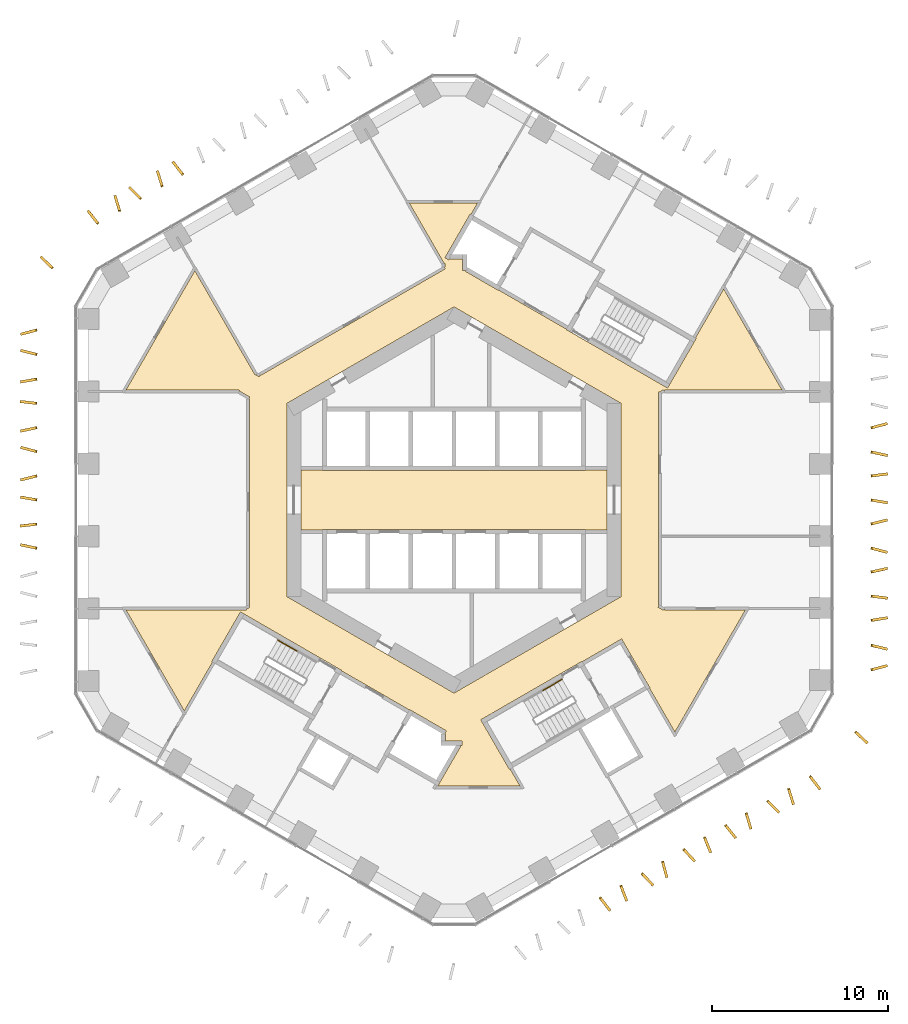
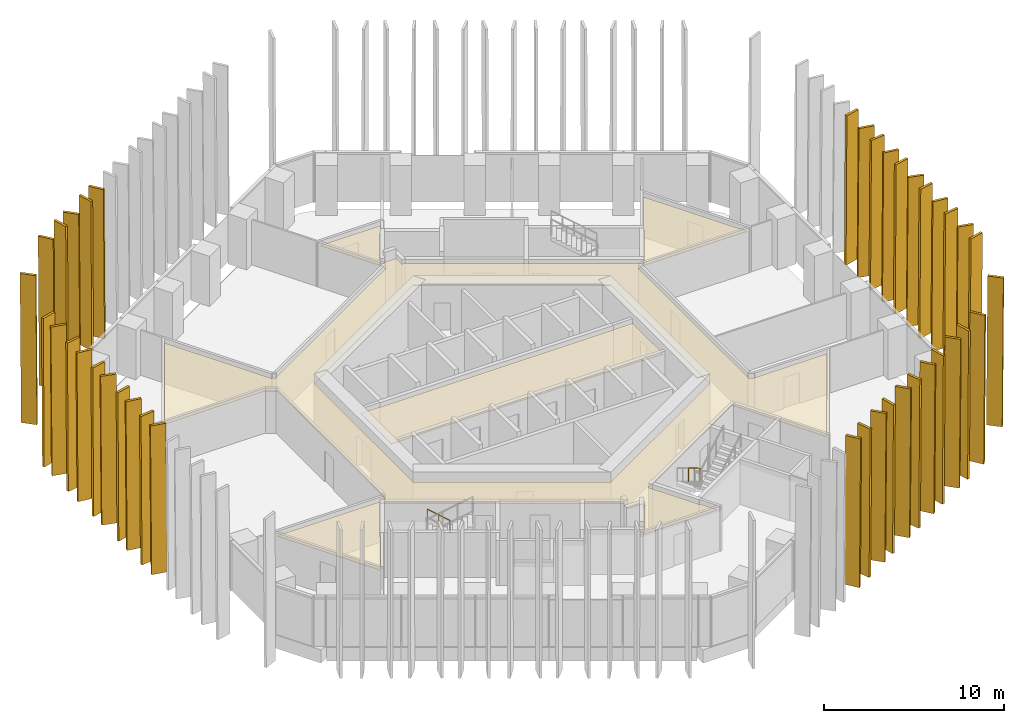
# One storey, part 17 of 18: 39 shading devices, 2 coverings, 2 railings.
"""IFC4 building model written with IfcOpenShell, lengths in metres."""

from ifc_helpers import new_model, si_unit, direction, frame, origin, origin_2d, place, context, subcontext, project, spatial, polyline, circle, outline, extrude, material, layer, layer_set, type_object, element, save


model = new_model("IFC4")

# Units and contexts
model_context = context("Model", 3, precision=1e-05, world=origin(), true_north=direction((0.0, 1.0)))
body_context = subcontext(model_context, "Body", "Model", "MODEL_VIEW")
ifc_project = project(units=[si_unit("LENGTHUNIT", "METRE"), si_unit("AREAUNIT", "SQUARE_METRE"), si_unit("VOLUMEUNIT", "CUBIC_METRE"), si_unit("PLANEANGLEUNIT", "RADIAN"), si_unit("MASSUNIT", "GRAM", prefix="KILO")], contexts=[model_context])

# Site, building, storey
site_placement = place(None, origin())
site = spatial("IfcSite", under=ifc_project, at=site_placement, CompositionType="ELEMENT")
building_placement = place(site_placement, origin())
building = spatial("IfcBuilding", under=site, at=building_placement, Name="Ayvan Gate Tower", CompositionType="ELEMENT")
storey_placement = place(building_placement, frame((0.0, 0.0, 25.5)))
storey = spatial("IfcBuildingStorey", under=building, at=storey_placement, Name="L05", CompositionType="ELEMENT", Elevation=25.5)

# Shading devices
ifc_material_1 = material(Name="Bronze anodised aluminium", Category="aluminium")
ifc_layer_1 = layer(ifc_material_1, 0.14990234375)
ifc_layer_set_1 = layer_set([ifc_layer_1], Name="Bronze anodised aluminium")
shading_device_type = type_object("IfcShadingDeviceType", Name="Bronze fin 900 x 150", PredefinedType="USERDEFINED", material=ifc_layer_set_1)
shading_device_1_placement = place(storey_placement, frame((-15.328125, 18.510986328125, 0.0), z_axis=(0.787493543191, 0.616322883269, 0.000151632783), x_axis=(-0.616322890354, 0.787493552244, 0.0)))
element("IfcShadingDevice", 1, at=shading_device_1_placement, inside=storey, type_object=shading_device_type, Name="Bronze fin FG01.1.11", ObjectType="FIN", PredefinedType="USERDEFINED", context=body_context, shape_type="SweptSolid", body=[
    extrude(outline(polyline([(0.0, 0.0), (0.8999949680293663, 0.0), (0.9681560419740287, 10.080078240883104), (0.06816107394466255, 10.080078240883104), (0.0, 0.0)])), origin(), (0.0, 0.0, -1.0), 0.14990234375),
])
shading_device_2_placement = place(storey_placement, frame((-16.4970703125, 17.8046875, 0.0), z_axis=(0.956080553503, 0.29310399718, 0.000148494506), x_axis=(-0.293104000415, 0.956080564043, 2.5162e-08)))
element("IfcShadingDevice", 2, at=shading_device_2_placement, inside=storey, type_object=shading_device_type, Name="Bronze fin FG01.1.12", ObjectType="FIN", PredefinedType="USERDEFINED", context=body_context, shape_type="SweptSolid", body=[
    extrude(outline(polyline([(0.0, 0.0), (0.8999202471035254, 6.776263578034403e-21), (0.9680018966130576, 10.080078211779238), (0.06791978999692773, 10.080078257070676), (0.0, 0.0)])), origin(), (0.0, 0.0, -1.0), 0.14990234375),
])
shading_device_3_placement = place(storey_placement, frame((-17.7158203125, 17.142822265625, 0.0), z_axis=(0.707242404376, 0.706971118452, 0.000138304045), x_axis=(-0.706971125213, 0.70724241114, 0.0)))
element("IfcShadingDevice", 3, at=shading_device_3_placement, inside=storey, type_object=shading_device_type, Name="Bronze fin FG01.1.13", ObjectType="FIN", PredefinedType="USERDEFINED", context=body_context, shape_type="SweptSolid", body=[
    extrude(outline(polyline([(0.0, 0.0), (0.8999384077507213, 0.0), (0.9679557372228469, 10.080078221405914), (0.06801732947212549, 10.080078221405914), (0.0, 0.0)])), origin(), (0.0, 0.0, -1.0), 0.14990234375),
])
shading_device_4_placement = place(storey_placement, frame((-18.915283203125, 16.408203125, 0.0), z_axis=(0.957504568383, 0.288418066362, 0.000143252405), x_axis=(-0.288418069321, 0.957504578208, 0.0)))
element("IfcShadingDevice", 4, at=shading_device_4_placement, inside=storey, type_object=shading_device_type, Name="Bronze fin FG01.1.14", ObjectType="FIN", PredefinedType="USERDEFINED", context=body_context, shape_type="SweptSolid", body=[
    extrude(outline(polyline([(0.0, 0.0), (0.8998100742636743, -6.776263578034403e-21), (0.9678136551198046, 10.080078228427913), (0.06800358085613026, 10.080078228427913), (0.0, 0.0)])), origin(), (0.0, 0.0, -1.0), 0.14990234375),
])
shading_device_5_placement = place(storey_placement, frame((-20.146484375, 15.7294921875, 0.0), z_axis=(0.784677900836, 0.619903678659, 0.000145345778), x_axis=(-0.619903685205, 0.784677909125, -1.5468e-08)))
element("IfcShadingDevice", 5, at=shading_device_5_placement, inside=storey, type_object=shading_device_type, Name="Bronze fin FG01.1.15", ObjectType="FIN", PredefinedType="USERDEFINED", context=body_context, shape_type="SweptSolid", body=[
    extrude(outline(polyline([(0.0, 0.0), (0.9000373808088211, 1.3552527156068805e-20), (0.9681643260656896, 10.080078246448702), (0.06797560158372278, 10.080078218602216), (0.0, 0.0)])), origin(), (0.0, 0.0, -1.0), 0.14990234375),
])
shading_device_6_placement = place(storey_placement, frame((-22.734375, 13.2099609375, 0.0), z_axis=(0.690088543192, 0.723724934448, 0.000147693088), x_axis=(-0.723724942342, 0.690088550718, 0.0)))
element("IfcShadingDevice", 6, at=shading_device_6_placement, inside=storey, type_object=shading_device_type, Name="Bronze fin FG01.2.16", ObjectType="FIN", PredefinedType="USERDEFINED", context=body_context, shape_type="SweptSolid", body=[
    extrude(outline(polyline([(0.0, 0.0), (0.9000203660144157, 1.3552527156068805e-20), (0.9680926281378122, 10.080078234939624), (0.06807226212339645, 10.080078234939624), (0.0, 0.0)])), origin(), (0.0, 0.0, -1.0), 0.14990234375),
])
shading_device_7_placement = place(storey_placement, frame((-23.703857421875, 9.734375, 0.0), z_axis=(-0.255982042838, 0.966681524781, 0.000152941065), x_axis=(-0.966681536088, -0.255982045829, -2.0057e-08)))
element("IfcShadingDevice", 7, at=shading_device_7_placement, inside=storey, type_object=shading_device_type, Name="Bronze fin FG01.3.17", ObjectType="FIN", PredefinedType="USERDEFINED", context=body_context, shape_type="SweptSolid", body=[
    extrude(outline(polyline([(0.0, 0.0), (0.8998235796625536, -6.776263578034403e-21), (0.967947706406639, 10.080078262305271), (0.06806163112742811, 10.080078226208974), (0.0, 0.0)])), origin(), (0.0, 0.0, -1.0), 0.14990234375),
])
shading_device_8_placement = place(storey_placement, frame((-23.66650390625, 8.33837890625, 0.0), z_axis=(0.242407948815, 0.970174398392, 0.000151841614), x_axis=(-0.970174409575, 0.242407951613, -1.9982e-08)))
element("IfcShadingDevice", 8, at=shading_device_8_placement, inside=storey, type_object=shading_device_type, Name="Bronze fin FG01.3.18", ObjectType="FIN", PredefinedType="USERDEFINED", context=body_context, shape_type="SweptSolid", body=[
    extrude(outline(polyline([(0.0, 0.0), (0.8999161126424091, -6.776263578034403e-21), (0.9679516349611692, 10.08007826054456), (0.0680947039475718, 10.080078224580692), (0.0, 0.0)])), origin(), (0.0, 0.0, -1.0), 0.14990234375),
])
shading_device_9_placement = place(storey_placement, frame((-23.697265625, 6.943115234375, 0.0), z_axis=(-0.170202105893, 0.985409164477, 0.000147355485), x_axis=(-0.985409175176, -0.170202107738, -1.9693e-08)))
element("IfcShadingDevice", 9, at=shading_device_9_placement, inside=storey, type_object=shading_device_type, Name="Bronze fin FG01.3.19", ObjectType="FIN", PredefinedType="USERDEFINED", context=body_context, shape_type="SweptSolid", body=[
    extrude(outline(polyline([(0.0, 0.0), (0.900075257560315, -3.3881317890172014e-21), (0.9682374193589812, 10.08007825350519), (0.0681206085497067, 10.080078218053824), (0.0, 0.0)])), origin(), (0.0, 0.0, -1.0), 0.14990234375),
])
shading_device_10_placement = place(storey_placement, frame((-23.676025390625, 5.559814453125, 0.0), z_axis=(0.115700042792, 0.993284189176, 0.000140106832), x_axis=(-0.993284198925, 0.115700043931, -2.1078e-08)))
element("IfcShadingDevice", 10, at=shading_device_10_placement, inside=storey, type_object=shading_device_type, Name="Bronze fin FG01.3.20", ObjectType="FIN", PredefinedType="USERDEFINED", context=body_context, shape_type="SweptSolid", body=[
    extrude(outline(polyline([(0.0, 0.0), (0.8998577565975313, -3.3881317890172014e-21), (0.9680072532264417, 10.080078244338846), (0.06793524268481994, 10.080078206400671), (0.0, 0.0)])), origin(), (0.0, 0.0, -1.0), 0.14990234375),
])
shading_device_11_placement = place(storey_placement, frame((-23.7001953125, 4.1875, 0.0), z_axis=(-0.208334026424, 0.97805772431, 0.000146120088), x_axis=(-0.978057734752, -0.208334028647, -4.128e-09)))
element("IfcShadingDevice", 11, at=shading_device_11_placement, inside=storey, type_object=shading_device_type, Name="Bronze fin FG01.3.21", ObjectType="FIN", PredefinedType="USERDEFINED", context=body_context, shape_type="SweptSolid", body=[
    extrude(outline(polyline([(0.0, 0.0), (0.900116388065352, -3.3881317890172014e-21), (0.9680819284701006, 10.080078236606909), (0.06820432403139688, 10.080078229175816), (0.0, 0.0)])), origin(), (0.0, 0.0, -1.0), 0.14990234375),
])
shading_device_12_placement = place(storey_placement, frame((-23.665283203125, 2.815185546875, 0.0), z_axis=(0.256201956739, 0.966623263989, 0.000151254783), x_axis=(-0.966623275046, 0.256201959671, -1.4571e-08)))
element("IfcShadingDevice", 12, at=shading_device_12_placement, inside=storey, type_object=shading_device_type, Name="Bronze fin FG01.3.22", ObjectType="FIN", PredefinedType="USERDEFINED", context=body_context, shape_type="SweptSolid", body=[
    extrude(outline(polyline([(0.0, 0.0), (0.9001846201545886, -6.776263578034403e-21), (0.9682040130474024, 10.080078254414229), (0.06831793420988365, 10.08007822818454), (0.0, 0.0)])), origin(), (0.0, 0.0, -1.0), 0.14990234375),
])
shading_device_13_placement = place(storey_placement, frame((-23.702880859375, 1.444091796875, 0.0), z_axis=(-0.242790931925, 0.970078628565, 0.000133331215), x_axis=(-0.970078637187, -0.242790934083, 0.0)))
element("IfcShadingDevice", 13, at=shading_device_13_placement, inside=storey, type_object=shading_device_type, Name="Bronze fin FG01.3.23", ObjectType="FIN", PredefinedType="USERDEFINED", context=body_context, shape_type="SweptSolid", body=[
    extrude(outline(polyline([(0.0, 0.0), (0.8999753644008668, -6.776263578034403e-21), (0.9680112266058074, 10.08007821459785), (0.06803586220494053, 10.08007821459785), (0.0, 0.0)])), origin(), (0.0, 0.0, -1.0), 0.14990234375),
])
shading_device_14_placement = place(storey_placement, frame((-23.671630859375, 0.073974609375, 0.0), z_axis=(0.172794859073, 0.984957823068, 0.000153147465), x_axis=(-0.984957834619, 0.1727948611, 0.0)))
element("IfcShadingDevice", 14, at=shading_device_14_placement, inside=storey, type_object=shading_device_type, Name="Bronze fin FG01.3.24", ObjectType="FIN", PredefinedType="USERDEFINED", context=body_context, shape_type="SweptSolid", body=[
    extrude(outline(polyline([(0.0, 0.0), (0.9000127500054788, -3.3881317890172014e-21), (0.9681538014022215, 10.080078243209813), (0.06814105139674281, 10.080078243209813), (0.0, 0.0)])), origin(), (0.0, 0.0, -1.0), 0.14990234375),
])
shading_device_15_placement = place(storey_placement, frame((-23.693115234375, -1.296630859375, 0.0), z_axis=(-0.11190527772, 0.993718866154, 0.000154490429), x_axis=(-0.993718878013, -0.111905279059, 2.0824e-08)))
element("IfcShadingDevice", 15, at=shading_device_15_placement, inside=storey, type_object=shading_device_type, Name="Bronze fin FG01.3.25", ObjectType="FIN", PredefinedType="USERDEFINED", context=body_context, shape_type="SweptSolid", body=[
    extrude(outline(polyline([(0.0, 0.0), (0.899953400979423, -3.3881317890172014e-21), (0.9679240468339528, 10.080078225136457), (0.06799796647930005, 10.080078262616372), (0.0, 0.0)])), origin(), (0.0, 0.0, -1.0), 0.14990234375),
])
shading_device_16_placement = place(storey_placement, frame((-23.669189453125, -2.669189453125, 0.0), z_axis=(0.205600361971, 0.978636023733, 0.000155591503), x_axis=(-0.978636035579, 0.205600364459, 0.0)))
element("IfcShadingDevice", 16, at=shading_device_16_placement, inside=storey, type_object=shading_device_type, Name="Bronze fin FG01.3.26", ObjectType="FIN", PredefinedType="USERDEFINED", context=body_context, shape_type="SweptSolid", body=[
    extrude(outline(polyline([(0.0, 0.0), (0.9000888409741108, 6.776263578034403e-21), (0.9681142053139862, 10.080078247012876), (0.06802536433987535, 10.080078247012876), (0.0, 0.0)])), origin(), (0.0, 0.0, -1.0), 0.14990234375),
])
shading_device_17_placement = place(storey_placement, frame((8.219970703125, -22.6142578125, 0.0), z_axis=(-0.792946578398, -0.6092911444, 0.000158628969), x_axis=(0.609291152066, -0.792946588374, 0.0)))
element("IfcShadingDevice", 17, at=shading_device_17_placement, inside=storey, type_object=shading_device_type, Name="Bronze fin FG01.7.53", ObjectType="FIN", PredefinedType="USERDEFINED", context=body_context, shape_type="SweptSolid", body=[
    extrude(outline(polyline([(0.0, 0.0), (0.8999635755267726, 1.3552527156068805e-20), (0.9680044352164023, 10.080078251823261), (0.0680408596896297, 10.080078251823261), (0.0, 0.0)])), origin(), (0.0, 0.0, -1.0), 0.14990234375),
])
shading_device_18_placement = place(storey_placement, frame((9.39697265625, -21.909912109375, 0.0), z_axis=(-0.933044586992, -0.359760721824, 0.000147366305), x_axis=(0.35976072573, -0.933044597124, 0.0)))
element("IfcShadingDevice", 18, at=shading_device_18_placement, inside=storey, type_object=shading_device_type, Name="Bronze fin FG01.7.54", ObjectType="FIN", PredefinedType="USERDEFINED", context=body_context, shape_type="SweptSolid", body=[
    extrude(outline(polyline([(0.0, 0.0), (0.8998493876531491, 0.0), (0.9679304772491854, 10.080078234453662), (0.06808108959603631, 10.080078234453662), (0.0, 0.0)])), origin(), (0.0, 0.0, -1.0), 0.14990234375),
])
shading_device_19_placement = place(storey_placement, frame((10.60009765625, -21.248779296875, 0.0), z_axis=(-0.725310872833, -0.688421464193, 0.000159339082), x_axis=(0.688421472932, -0.725310882041, 0.0)))
element("IfcShadingDevice", 19, at=shading_device_19_placement, inside=storey, type_object=shading_device_type, Name="Bronze fin FG01.7.55", ObjectType="FIN", PredefinedType="USERDEFINED", context=body_context, shape_type="SweptSolid", body=[
    extrude(outline(polyline([(0.0, 0.0), (0.9000720207219932, 0.0), (0.9682435502170098, 10.08007825296127), (0.06817152949501662, 10.08007825296127), (0.0, 0.0)])), origin(), (0.0, 0.0, -1.0), 0.14990234375),
])
shading_device_20_placement = place(storey_placement, frame((11.769775390625, -20.531005859375, 0.0), z_axis=(-0.965860211967, -0.259063755773, 0.000146229942), x_axis=(0.259063758543, -0.965860222294, 5.139e-09)))
element("IfcShadingDevice", 20, at=shading_device_20_placement, inside=storey, type_object=shading_device_type, Name="Bronze fin FG01.7.56", ObjectType="FIN", PredefinedType="USERDEFINED", context=body_context, shape_type="SweptSolid", body=[
    extrude(outline(polyline([(0.0, 0.0), (0.8998701857360256, 0.0), (0.9679995131084572, 10.08007822779766), (0.06789352165409814, 10.080078237047621), (0.0, 0.0)])), origin(), (0.0, 0.0, -1.0), 0.14990234375),
])
shading_device_21_placement = place(storey_placement, frame((12.974853515625, -19.876708984375, 0.0), z_axis=(-0.733908401891, -0.679248434054, 0.000149896312), x_axis=(0.679248441684, -0.733908410137, -1.3808e-08)))
element("IfcShadingDevice", 21, at=shading_device_21_placement, inside=storey, type_object=shading_device_type, Name="Bronze fin FG01.7.57", ObjectType="FIN", PredefinedType="USERDEFINED", context=body_context, shape_type="SweptSolid", body=[
    extrude(outline(polyline([(0.0, 0.0), (0.9000962538592601, -1.3552527156068805e-20), (0.9681029212411879, 10.08007825161203), (0.0681858442398715, 10.080078226756878), (0.0, 0.0)])), origin(), (0.0, 0.0, -1.0), 0.14990234375),
])
shading_device_22_placement = place(storey_placement, frame((14.14794921875, -19.16845703125, 0.0), z_axis=(-0.925596623584, -0.378511381161, 0.000157294266), x_axis=(0.378511385839, -0.925596635036, -2.7817e-08)))
element("IfcShadingDevice", 22, at=shading_device_22_placement, inside=storey, type_object=shading_device_type, Name="Bronze fin FG01.7.58", ObjectType="FIN", PredefinedType="USERDEFINED", context=body_context, shape_type="SweptSolid", body=[
    extrude(outline(polyline([(0.0, 0.0), (0.9001671627499452, -6.776263578034403e-21), (0.9681406170057618, 10.08007827662902), (0.06810701999048366, 10.080078226552484), (0.0, 0.0)])), origin(), (0.0, 0.0, -1.0), 0.14990234375),
])
shading_device_23_placement = place(storey_placement, frame((15.346435546875, -18.50146484375, 0.0), z_axis=(-0.780246418555, -0.62547222461, 0.000150241621), x_axis=(0.625472231671, -0.78024642736, 1.59e-08)))
element("IfcShadingDevice", 23, at=shading_device_23_placement, inside=storey, type_object=shading_device_type, Name="Bronze fin FG01.7.59", ObjectType="FIN", PredefinedType="USERDEFINED", context=body_context, shape_type="SweptSolid", body=[
    extrude(outline(polyline([(0.0, 0.0), (0.8999823465140442, 2.710505431213761e-20), (0.9680812042789141, 10.080078223373986), (0.06825156094643026, 10.080078251991063), (0.0, 0.0)])), origin(), (0.0, 0.0, -1.0), 0.14990234375),
])
shading_device_24_placement = place(storey_placement, frame((16.520751953125, -17.790283203125, 0.0), z_axis=(-0.958265589917, -0.285879403276, 0.000161131536), x_axis=(0.285879406987, -0.958265602357, 0.0)))
element("IfcShadingDevice", 24, at=shading_device_24_placement, inside=storey, type_object=shading_device_type, Name="Bronze fin FG01.7.60", ObjectType="FIN", PredefinedType="USERDEFINED", context=body_context, shape_type="SweptSolid", body=[
    extrude(outline(polyline([(0.0, 0.0), (0.9001145674052323, 6.776263578034403e-21), (0.9681140824505216, 10.080078255856412), (0.06799951504528923, 10.080078255856412), (0.0, 0.0)])), origin(), (0.0, 0.0, -1.0), 0.14990234375),
])
shading_device_25_placement = place(storey_placement, frame((17.738037109375, -17.1298828125, 0.0), z_axis=(-0.707242402597, -0.706971116673, 0.000155433535), x_axis=(0.706971125213, -0.70724241114, 0.0)))
element("IfcShadingDevice", 25, at=shading_device_25_placement, inside=storey, type_object=shading_device_type, Name="Bronze fin FG01.7.61", ObjectType="FIN", PredefinedType="USERDEFINED", context=body_context, shape_type="SweptSolid", body=[
    extrude(outline(polyline([(0.0, 0.0), (0.8999384077507213, 0.0), (0.9681283375952133, 10.080078246765249), (0.06818992984449196, 10.080078246765249), (0.0, 0.0)])), origin(), (0.0, 0.0, -1.0), 0.14990234375),
])
shading_device_26_placement = place(storey_placement, frame((18.9287109375, -16.40087890625, 0.0), z_axis=(-0.955373405607, -0.295400805993, 0.00014027432), x_axis=(0.295400808899, -0.955373415007, 0.0)))
element("IfcShadingDevice", 26, at=shading_device_26_placement, inside=storey, type_object=shading_device_type, Name="Bronze fin FG01.7.62", ObjectType="FIN", PredefinedType="USERDEFINED", context=body_context, shape_type="SweptSolid", body=[
    extrude(outline(polyline([(0.0, 0.0), (0.9000284786486996, 0.0), (0.9681850280041495, 10.080078224172269), (0.06815654935544989, 10.080078224172269), (0.0, 0.0)])), origin(), (0.0, 0.0, -1.0), 0.14990234375),
])
shading_device_27_placement = place(storey_placement, frame((20.150390625, -15.726318359375, 0.0), z_axis=(-0.791225335699, -0.611524689521, 0.000149176245), x_axis=(0.611524696328, -0.791225344501, 1.6007e-08)))
element("IfcShadingDevice", 27, at=shading_device_27_placement, inside=storey, type_object=shading_device_type, Name="Bronze fin FG01.7.63", ObjectType="FIN", PredefinedType="USERDEFINED", context=body_context, shape_type="SweptSolid", body=[
    extrude(outline(polyline([(0.0, 0.0), (0.9001446582347326, 1.3552527156068805e-20), (0.968189917632286, 10.080078221661399), (0.06819455741911776, 10.080078250475422), (0.0, 0.0)])), origin(), (0.0, 0.0, -1.0), 0.14990234375),
])
shading_device_28_placement = place(storey_placement, frame((22.73486328125, -13.210205078125, 0.0), z_axis=(-0.686049788507, -0.727554579983, 0.000144342176), x_axis=(0.727554587562, -0.686049795654, 0.0)))
element("IfcShadingDevice", 28, at=shading_device_28_placement, inside=storey, type_object=shading_device_type, Name="Bronze fin FG01.8.64", ObjectType="FIN", PredefinedType="USERDEFINED", context=body_context, shape_type="SweptSolid", body=[
    extrude(outline(polyline([(0.0, 0.0), (0.8999807951785506, 0.0), (0.9680704219882953, 10.080078230007523), (0.0680896268097447, 10.080078230007523), (0.0, 0.0)])), origin(), (0.0, 0.0, -1.0), 0.14990234375),
])
shading_device_29_placement = place(storey_placement, frame((23.703857421875, -9.729248046875, 0.0), z_axis=(0.257696414129, -0.966225923291, 0.000152658957), x_axis=(0.96622593455, 0.257696417132, 0.0)))
element("IfcShadingDevice", 29, at=shading_device_29_placement, inside=storey, type_object=shading_device_type, Name="Bronze fin FG01.9.65", ObjectType="FIN", PredefinedType="USERDEFINED", context=body_context, shape_type="SweptSolid", body=[
    extrude(outline(polyline([(0.0, 0.0), (0.9000264587751636, 6.776263578034403e-21), (0.968153624545607, 10.080078242456889), (0.06812716577044343, 10.080078242456889), (0.0, 0.0)])), origin(), (0.0, 0.0, -1.0), 0.14990234375),
])
shading_device_30_placement = place(storey_placement, frame((23.666748046875, -8.322998046875, 0.0), z_axis=(-0.237074820133, -0.971491382503, 0.000152911392), x_axis=(0.97149139386, -0.237074822904, 4.916e-09)))
element("IfcShadingDevice", 30, at=shading_device_30_placement, inside=storey, type_object=shading_device_type, Name="Bronze fin FG01.9.66", ObjectType="FIN", PredefinedType="USERDEFINED", context=body_context, shape_type="SweptSolid", body=[
    extrude(outline(polyline([(0.0, 0.0), (0.900167375006456, 0.0), (0.9681533006598232, 10.080078238086218), (0.06822310616944632, 10.080078246935502), (0.0, 0.0)])), origin(), (0.0, 0.0, -1.0), 0.14990234375),
])
shading_device_31_placement = place(storey_placement, frame((23.696533203125, -6.91748046875, 0.0), z_axis=(0.158942491739, -0.987287832645, 0.00014081934), x_axis=(0.987287842434, 0.158942493315, 0.0)))
element("IfcShadingDevice", 31, at=shading_device_31_placement, inside=storey, type_object=shading_device_type, Name="Bronze fin FG01.9.67", ObjectType="FIN", PredefinedType="USERDEFINED", context=body_context, shape_type="SweptSolid", body=[
    extrude(outline(polyline([(0.0, 0.0), (0.9001142694198919, -3.3881317890172014e-21), (0.9680986428312154, 10.080078224944412), (0.06798437341132346, 10.080078224944412), (0.0, 0.0)])), origin(), (0.0, 0.0, -1.0), 0.14990234375),
])
shading_device_32_placement = place(storey_placement, frame((23.675048828125, -5.5322265625, 0.0), z_axis=(-0.128307005564, -0.991734486979, 0.000140210374), x_axis=(0.991734496728, -0.128307006825, 0.0)))
element("IfcShadingDevice", 32, at=shading_device_32_placement, inside=storey, type_object=shading_device_type, Name="Bronze fin FG01.9.68", ObjectType="FIN", PredefinedType="USERDEFINED", context=body_context, shape_type="SweptSolid", body=[
    extrude(outline(polyline([(0.0, 0.0), (0.9000172202794061, 3.3881317890172014e-21), (0.9680249511871952, 10.080078224081875), (0.06800773090778908, 10.080078224081875), (0.0, 0.0)])), origin(), (0.0, 0.0, -1.0), 0.14990234375),
])
shading_device_33_placement = place(storey_placement, frame((23.700927734375, -4.166748046875, 0.0), z_axis=(0.216499541994, -0.976282709103, 0.000142209182), x_axis=(0.976282718975, 0.216499544182, -4.176e-09)))
element("IfcShadingDevice", 33, at=shading_device_33_placement, inside=storey, type_object=shading_device_type, Name="Bronze fin FG01.9.69", ObjectType="FIN", PredefinedType="USERDEFINED", context=body_context, shape_type="SweptSolid", body=[
    extrude(outline(polyline([(0.0, 0.0), (0.9000019877558183, -3.3881317890172014e-21), (0.9678450374687648, 10.080078230968622), (0.06808139998613365, 10.080078223452961), (0.0, 0.0)])), origin(), (0.0, 0.0, -1.0), 0.14990234375),
])
shading_device_34_placement = place(storey_placement, frame((23.665283203125, -2.8017578125, 0.0), z_axis=(-0.257696414351, -0.966225924126, 0.000146890557), x_axis=(0.96622593455, -0.257696417132, 0.0)))
element("IfcShadingDevice", 34, at=shading_device_34_placement, inside=storey, type_object=shading_device_type, Name="Bronze fin FG01.9.70", ObjectType="FIN", PredefinedType="USERDEFINED", context=body_context, shape_type="SweptSolid", body=[
    extrude(outline(polyline([(0.0, 0.0), (0.9000264587751636, -6.776263578034403e-21), (0.9681063395841988, 10.080078233748095), (0.06807988080903514, 10.080078233748095), (0.0, 0.0)])), origin(), (0.0, 0.0, -1.0), 0.14990234375),
])
shading_device_35_placement = place(storey_placement, frame((23.702392578125, -1.4375, 0.0), z_axis=(0.237777321595, -0.971319680516, 0.000153547972), x_axis=(0.971319691967, 0.237777324395, -2.518e-08)))
element("IfcShadingDevice", 35, at=shading_device_35_placement, inside=storey, type_object=shading_device_type, Name="Bronze fin FG01.9.71", ObjectType="FIN", PredefinedType="USERDEFINED", context=body_context, shape_type="SweptSolid", body=[
    extrude(outline(polyline([(0.0, 0.0), (0.9000460823010529, 0.0), (0.9680738416273775, 10.080078268204714), (0.06820684681840779, 10.080078222883444), (0.0, 0.0)])), origin(), (0.0, 0.0, -1.0), 0.14990234375),
])
shading_device_36_placement = place(storey_placement, frame((23.67236328125, -0.07421875, 0.0), z_axis=(-0.163299175919, -0.986576582753, 0.0001597095), x_axis=(0.986576595336, -0.163299178002, 0.0)))
element("IfcShadingDevice", 36, at=shading_device_36_placement, inside=storey, type_object=shading_device_type, Name="Bronze fin FG01.9.72", ObjectType="FIN", PredefinedType="USERDEFINED", context=body_context, shape_type="SweptSolid", body=[
    extrude(outline(polyline([(0.0, 0.0), (0.9000207964825616, -3.3881317890172014e-21), (0.9680539527947419, 10.080078253556906), (0.0680331563121802, 10.080078253556906), (0.0, 0.0)])), origin(), (0.0, 0.0, -1.0), 0.14990234375),
])
shading_device_37_placement = place(storey_placement, frame((23.69384765625, 1.2900390625, 0.0), z_axis=(0.122081193832, -0.99252010585, 0.000146953966), x_axis=(0.992520116567, 0.122081195149, -2.433e-09)))
element("IfcShadingDevice", 37, at=shading_device_37_placement, inside=storey, type_object=shading_device_type, Name="Bronze fin FG01.9.73", ObjectType="FIN", PredefinedType="USERDEFINED", context=body_context, shape_type="SweptSolid", body=[
    extrude(outline(polyline([(0.0, 0.0), (0.9000409287932656, -3.3881317890172014e-21), (0.9678695858733496, 10.080078236197025), (0.06807097156166778, 10.080078231817655), (0.0, 0.0)])), origin(), (0.0, 0.0, -1.0), 0.14990234375),
])
shading_device_38_placement = place(storey_placement, frame((23.668701171875, 2.65576171875, 0.0), z_axis=(-0.212288850254, -0.977206950308, 0.000142573463), x_axis=(0.977206960241, -0.212288852409, 1.89e-08)))
element("IfcShadingDevice", 38, at=shading_device_38_placement, inside=storey, type_object=shading_device_type, Name="Bronze fin FG01.9.74", ObjectType="FIN", PredefinedType="USERDEFINED", context=body_context, shape_type="SweptSolid", body=[
    extrude(outline(polyline([(0.0, 0.0), (0.8998802132253028, 6.776263578034403e-21), (0.9680489352612164, 10.080078209154195), (0.06811689370280583, 10.080078243169769), (0.0, 0.0)])), origin(), (0.0, 0.0, -1.0), 0.14990234375),
])
shading_device_39_placement = place(storey_placement, frame((23.703857421875, 4.02099609375, 0.0), z_axis=(0.256995751993, -0.966412521744, 0.000145856154), x_axis=(0.966412532024, 0.256995754724, -1.9117e-08)))
element("IfcShadingDevice", 39, at=shading_device_39_placement, inside=storey, type_object=shading_device_type, Name="Bronze fin FG01.9.75", ObjectType="FIN", PredefinedType="USERDEFINED", context=body_context, shape_type="SweptSolid", body=[
    extrude(outline(polyline([(0.0, 0.0), (0.9000739334293504, 6.776263578034403e-21), (0.9681997728212792, 10.080078250730935), (0.06806309628774826, 10.080078216316354), (0.0, 0.0)])), origin(), (0.0, 0.0, -1.0), 0.14990234375),
])

# Coverings
ifc_material_2 = material(Name="Plasterboard suspended ceiling")
ifc_layer_2 = layer(ifc_material_2, 0.050048828125)
ifc_layer_set_2 = layer_set([ifc_layer_2], Name="Plasterboard suspended ceiling")
covering_type = type_object("IfcCoveringType", Name="CT-SUSP-50", PredefinedType="CEILING", material=ifc_layer_set_2)
covering_1_placement = place(storey_placement, frame((0.0, 0.0, 2.699951171875)))
element("IfcCovering", 40, at=covering_1_placement, inside=storey, type_object=covering_type, Name="Ceiling Lift Lobby L05", PredefinedType="CEILING", context=body_context, shape_type="SweptSolid", body=[
    extrude(outline(polyline([(7.47509765625, -1.675048828125), (-7.47509765625, -1.675048828125), (-7.47509765625, -1.699951171875), (-8.699951171875, -1.699951171875), (-8.699951171875, 1.699951171875), (-7.47509765625, 1.699951171875), (-7.47509765625, 1.675048828125), (7.47509765625, 1.675048828125), (7.47509765625, 1.699951171875), (8.699951171875, 1.699951171875), (8.699951171875, -1.699951171875), (7.47509765625, -1.699951171875), (7.47509765625, -1.675048828125)])), origin(), (0.0, 0.0, 1.0), 0.050048828125),
])
covering_2_placement = place(storey_placement, frame((0.0, 0.0, 2.699951171875)))
element("IfcCovering", 41, at=covering_2_placement, inside=storey, type_object=covering_type, Name="Ceiling Ring Corridor L05", PredefinedType="CEILING", context=body_context, shape_type="SweptSolid", body=[
    extrude(outline(polyline([(-12.2158203125, 6.23583984375), (-18.640380859375, 6.23583984375), (-14.720458984375, 13.025146484375), (-11.29833984375, 7.097412109375), (-11.2158203125, 7.14501953125), (-11.243408203125, 7.097412109375), (-11.072509765625, 6.998779296875), (-11.013427734375, 7.101318359375), (-10.99755859375, 7.073974609375), (-0.49755859375, 13.135986328125), (-0.556640625, 13.238525390625), (-0.52490234375, 13.238525390625), (-0.52490234375, 13.435791015625), (-0.556884765625, 13.435791015625), (-2.5341796875, 16.86083984375), (1.334228515625, 16.86083984375), (0.962158203125, 16.216552734375), (0.918701171875, 16.241455078125), (-0.511474609375, 13.76416015625), (-0.294921875, 13.63916015625), (-0.215576171875, 13.776611328125), (-0.215576171875, 13.68505859375), (0.47509765625, 13.68505859375), (0.47509765625, 13.03857421875), (0.672119140625, 13.03857421875), (0.645751953125, 12.992919921875), (2.518310546875, 11.91162109375), (2.53076171875, 11.933349609375), (6.384521484375, 9.70849609375), (6.3720703125, 9.686767578125), (6.588623046875, 9.561767578125), (12.131103515625, 6.36181640625), (12.24609375, 6.56103515625), (13.631103515625, 8.959716796875), (13.756103515625, 9.176513671875), (13.712890625, 9.201416015625), (15.320556640625, 11.98583984375), (18.640380859375, 6.23583984375), (11.94580078125, 6.23583984375), (11.94580078125, 6.180908203125), (11.898193359375, 6.26318359375), (11.7275390625, 6.16455078125), (11.743408203125, 6.13720703125), (11.625, 6.13720703125), (11.625, -5.9873046875), (11.656494140625, -5.9873046875), (11.597412109375, -6.089599609375), (11.898193359375, -6.26318359375), (11.94580078125, -6.180908203125), (11.94580078125, -6.23583984375), (16.56201171875, -6.23583984375), (12.54931640625, -13.185791015625), (11.102294921875, -10.6796875), (11.123779296875, -10.667236328125), (9.623779296875, -8.069091796875), (9.52392578125, -7.89599609375), (7.2939453125, -9.183349609375), (7.281494140625, -9.16162109375), (1.522216796875, -12.48681640625), (1.647216796875, -12.703369140625), (3.147216796875, -15.30126953125), (3.190673828125, -15.2763671875), (3.759033203125, -16.260986328125), (-0.93017578125, -16.260986328125), (-0.803955078125, -16.042236328125), (0.386474609375, -13.980712890625), (0.30712890625, -13.93505859375), (0.465576171875, -13.93505859375), (0.465576171875, -13.68505859375), (-0.47509765625, -13.68505859375), (-0.47509765625, -13.28857421875), (-0.52783203125, -13.28857421875), (-0.42919921875, -13.117919921875), (-2.284423828125, -12.046630859375), (-2.518310546875, -11.91162109375), (-2.53076171875, -11.933349609375), (-6.384521484375, -9.70849609375), (-6.3720703125, -9.686767578125), (-11.897216796875, -6.49658203125), (-12.131103515625, -6.36181640625), (-13.756103515625, -9.17626953125), (-13.712890625, -9.201416015625), (-15.320556640625, -11.98583984375), (-18.640380859375, -6.23583984375), (-11.7958984375, -6.23583984375), (-11.7958984375, -6.140625), (-11.768310546875, -6.188232421875), (-11.597412109375, -6.089599609375), (-11.656494140625, -5.9873046875), (-11.625, -5.9873046875), (-11.625, 5.74462890625), (-11.65673828125, 5.74462890625), (-11.597412109375, 5.84716796875), (-12.188232421875, 6.188232421875), (-12.2158203125, 6.140625), (-12.2158203125, 6.23583984375)]), holes=[polyline([(-2.808349609375, -9.34814453125), (0.0, -10.9697265625), (2.808349609375, -9.34814453125), (9.5, -5.48486328125), (9.5, 5.48486328125), (2.808349609375, 9.34814453125), (0.0, 10.9697265625), (-2.808349609375, 9.34814453125), (-9.5, 5.48486328125), (-9.5, -5.48486328125), (-2.808349609375, -9.34814453125)])]), origin(), (0.0, 0.0, 1.0), 0.050048828125),
])

# Railings
ifc_material_3 = material(Name="Stainless steel balustrade", Category="steel")
railing_type = type_object("IfcRailingType", Name="RL-HANDRAIL-900", PredefinedType="HANDRAIL", material=ifc_material_3)
railing_1_placement = place(storey_placement, frame((-8.92236328125, -8.583984375, 0.93505859375)))
element("IfcRailing", 42, at=railing_1_placement, inside=storey, type_object=railing_type, Name="L05 STS2 stair handrail 2", PredefinedType="HANDRAIL", context=body_context, shape_type="SweptSolid", body=[
    extrude(circle(Radius=0.02392578125, at=origin_2d()), frame((0.0, 0.0, 0.8759765625), z_axis=(-0.740229329464, 0.427507697325, 0.518939021976), x_axis=(-0.50011940292, -0.865956455501, 0.0)), (0.0, 0.0, 1.0), 1.473876953125),
    extrude(circle(Radius=0.02099609375, at=origin_2d()), origin(), (0.0, 0.0, 1.0), 0.851806640625),
    extrude(circle(Radius=0.02099609375, at=origin_2d()), frame((-0.54541015625, 0.31494140625, 0.38232421875)), (0.0, 0.0, 1.0), 0.851806640625),
    extrude(circle(Radius=0.02099609375, at=origin_2d()), frame((-1.091064453125, 0.630126953125, 0.764892578125)), (0.0, 0.0, 1.0), 0.851806640625),
])
railing_2_placement = place(storey_placement, frame((6.142333984375, -10.18896484375, 0.169921875)))
element("IfcRailing", 43, at=railing_2_placement, inside=storey, type_object=railing_type, Name="L05 STS3 stair handrail 1", PredefinedType="HANDRAIL", context=body_context, shape_type="SweptSolid", body=[
    extrude(circle(Radius=0.02392578125, at=origin_2d()), frame((0.0, 0.0, 0.8759765625), z_axis=(-0.740218099111, -0.427335577468, 0.519096782863), x_axis=(0.499974077718, -0.866040369504, 0.0)), (0.0, 0.0, 1.0), 1.473876953125),
    extrude(circle(Radius=0.02099609375, at=origin_2d()), origin(), (0.0, 0.0, 1.0), 0.851806640625),
    extrude(circle(Radius=0.02099609375, at=origin_2d()), frame((-0.54541015625, -0.31494140625, 0.382568359375)), (0.0, 0.0, 1.0), 0.851806640625),
    extrude(circle(Radius=0.02099609375, at=origin_2d()), frame((-1.091064453125, -0.6298828125, 0.76513671875)), (0.0, 0.0, 1.0), 0.851806640625),
])

save(model, "model.ifc")
